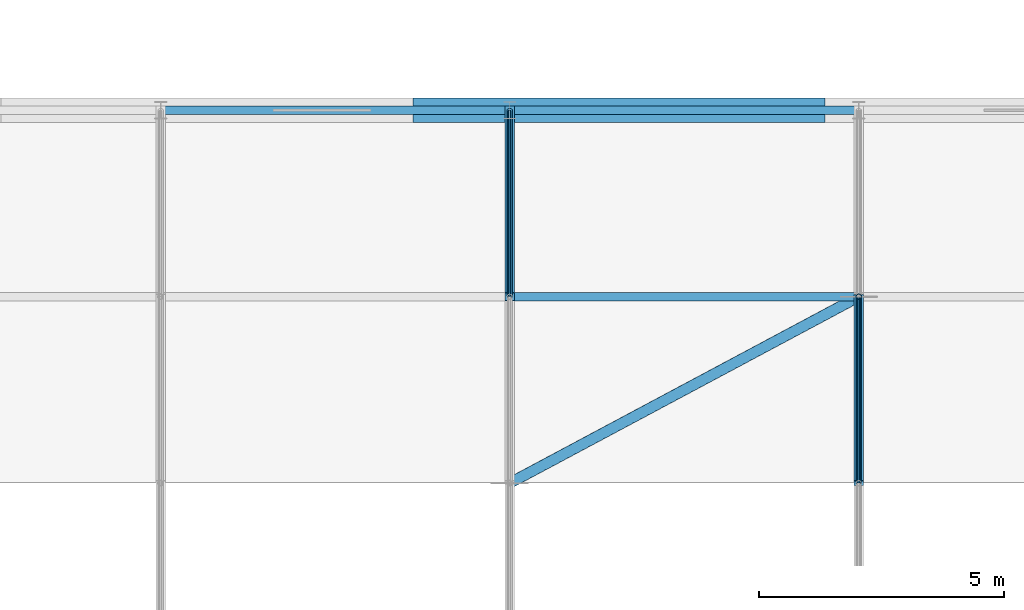
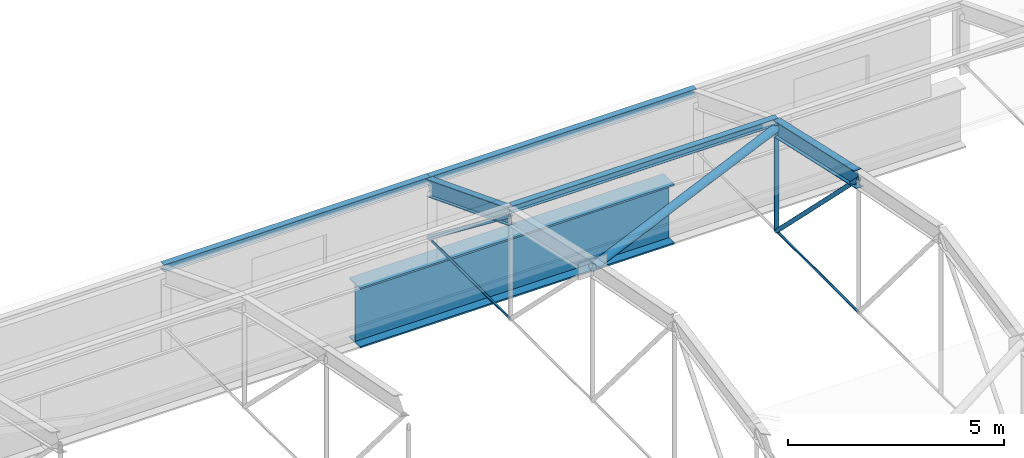
# One storey, part 19 of 53: 9 members, 3 beams.
"""IFC4 building model written with IfcOpenShell, lengths in metres."""

from ifc_helpers import new_model, si_unit, direction, frame, origin_with_axes, origin_2d_with_axis, place, context, subcontext, project, spatial, circle, hollow_circle, i_section, extrude, material, material_profile, profile_set, type_object, element, save


model = new_model("IFC4")

# Units and contexts
model_context = context("Model", 3, precision=1e-05, world=origin_with_axes(), true_north=direction((0.0, 1.0)))
body_context = subcontext(model_context, "Body", "Model", "MODEL_VIEW")
ifc_project = project(units=[si_unit("LENGTHUNIT", "METRE"), si_unit("AREAUNIT", "SQUARE_METRE"), si_unit("VOLUMEUNIT", "CUBIC_METRE"), si_unit("PLANEANGLEUNIT", "RADIAN"), si_unit("MASSUNIT", "GRAM", prefix="KILO"), si_unit("THERMODYNAMICTEMPERATUREUNIT", "KELVIN")], contexts=[model_context])

# Site, building, storey
site_placement = place(None, origin_with_axes())
site = spatial("IfcSite", under=ifc_project, at=site_placement, CompositionType="ELEMENT")
building_placement = place(site_placement, origin_with_axes())
building = spatial("IfcBuilding", under=site, at=building_placement, Name="Montbau Bow Law Courts", CompositionType="ELEMENT")
storey_placement = place(building_placement, frame((0.0, 0.0, 39.0), z_axis=(0.0, 0.0, 1.0), x_axis=(1.0, 0.0, 0.0)))
storey = spatial("IfcBuildingStorey", under=building, at=storey_placement, Name="L08", CompositionType="ELEMENT", Elevation=39.0)

# Beams
ifc_material = material(Name="Steel CSA G40.21 Grade 350WT (350 MPa)", Category="steel")
ifc_material_profile_1 = material_profile(ifc_material, i_section(OverallWidth=0.191, OverallDepth=0.46, WebThickness=0.0099, FlangeThickness=0.016, at=origin_2d_with_axis()), Name="W460X82", Category="Main", Priority=0)
ifc_profile_set_1 = profile_set([ifc_material_profile_1], Name="Steel CSA G40.21 Grade 350WT (350 MPa)")
beam_type_1 = type_object("IfcBeamType", Name="B-ARC-02", PredefinedType="USERDEFINED", material=ifc_profile_set_1)
beam_1_placement = place(None, frame((90.771, 58.0, 42.178), z_axis=(0.0, 0.931986259, -0.362493603), x_axis=(-1.0, 0.0, 0.0)))
element("IfcBeam", 1, at=beam_1_placement, inside=storey, type_object=beam_type_1, Name="Barrel vault roof truss arch rib V3-132", ObjectType="ARCH_RIB", PredefinedType="USERDEFINED", context=body_context, shape_type="SweptSolid", body=[
    extrude(i_section(OverallWidth=0.191, OverallDepth=0.46, WebThickness=0.0099, FlangeThickness=0.016, at=origin_2d_with_axis()), origin_with_axes(), (0.0, 0.0, 1.0), 4.077313),
])
beam_2_placement = place(None, frame((97.886, 54.2, 43.024), z_axis=(0.0, 0.97610237, -0.217311212), x_axis=(-1.0, 0.0, 0.0)))
element("IfcBeam", 2, at=beam_2_placement, inside=storey, type_object=beam_type_1, Name="Barrel vault roof truss arch rib V3-137", ObjectType="ARCH_RIB", PredefinedType="USERDEFINED", context=body_context, shape_type="SweptSolid", body=[
    extrude(i_section(OverallWidth=0.191, OverallDepth=0.46, WebThickness=0.0099, FlangeThickness=0.016, at=origin_2d_with_axis()), origin_with_axes(), (0.0, 0.0, 1.0), 3.893034),
])
ifc_material_profile_2 = material_profile(ifc_material, i_section(OverallWidth=0.5, OverallDepth=1.7, WebThickness=0.02, FlangeThickness=0.045, at=origin_2d_with_axis()), Name="WWF1700X480", Category="Main", Priority=0)
ifc_profile_set_2 = profile_set([ifc_material_profile_2], Name="Steel CSA G40.21 Grade 350WT (350 MPa)")
beam_type_2 = type_object("IfcBeamType", Name="B-TRG-02", PredefinedType="USERDEFINED", material=ifc_profile_set_2)
beam_3_placement = place(None, frame((88.8, 61.8, 37.81), z_axis=(1.0, 0.0, 0.0), x_axis=(0.0, 1.0, 0.0)))
element("IfcBeam", 3, at=beam_3_placement, inside=storey, type_object=beam_type_2, Name="VRG-L08-S0029:bm2_0032", ObjectType="GIRDER", PredefinedType="USERDEFINED", context=body_context, shape_type="SweptSolid", body=[
    extrude(i_section(OverallWidth=0.5, OverallDepth=1.7, WebThickness=0.02, FlangeThickness=0.045, at=origin_2d_with_axis()), origin_with_axes(), (0.0, 0.0, 1.0), 8.4),
])

# Members
ifc_material_profile_3 = material_profile(ifc_material, hollow_circle(Radius=0.1095, WallThickness=0.0111, at=origin_2d_with_axis()), Name="HSS219X11", Category="Main", Priority=0)
ifc_profile_set_3 = profile_set([ifc_material_profile_3], Name="Steel CSA G40.21 Grade 350WT (350 MPa)")
member_type_1 = type_object("IfcMemberType", Name="M-BRC-04", PredefinedType="BRACE", material=ifc_profile_set_3)
member_1_placement = place(None, frame((90.771, 54.2, 43.024), z_axis=(0.877266339, 0.468532971, -0.104310235), x_axis=(-0.471102928, 0.882078246, 0.0)))
element("IfcMember", 4, at=member_1_placement, inside=storey, type_object=member_type_1, Name="Diagonal brace VBR-V3-092", PredefinedType="BRACE", context=body_context, shape_type="SweptSolid", body=[
    extrude(hollow_circle(Radius=0.1095, WallThickness=0.0111, at=origin_2d_with_axis()), origin_with_axes(), (0.0, 0.0, 1.0), 8.110422),
])
ifc_material_profile_4 = material_profile(ifc_material, i_section(OverallWidth=0.165, OverallDepth=0.201, WebThickness=0.0062, FlangeThickness=0.0102, at=origin_2d_with_axis()), Name="W200X36", Category="Main", Priority=0)
ifc_profile_set_4 = profile_set([ifc_material_profile_4], Name="Steel CSA G40.21 Grade 350WT (350 MPa)")
member_type_2 = type_object("IfcMemberType", Name="M-PUR-02", PredefinedType="PURLIN", material=ifc_profile_set_4)
member_2_placement = place(None, frame((83.657, 61.8, 40.91), z_axis=(1.0, 0.0, 0.0), x_axis=(0.0, 1.0, 0.0)))
element("IfcMember", 5, at=member_2_placement, inside=storey, type_object=member_type_2, Name="Barrel vault roof truss purlin V3-133", PredefinedType="PURLIN", context=body_context, shape_type="SweptSolid", body=[
    extrude(i_section(OverallWidth=0.165, OverallDepth=0.201, WebThickness=0.0062, FlangeThickness=0.0102, at=origin_2d_with_axis()), origin_with_axes(), (0.0, 0.0, 1.0), 7.114),
])
for number, where, z_axis, x_axis, name in (
    (6, (90.771, 58.0, 42.388), (1.0, 0.0, 0.0), (0.0, 1.0, 0.0), "Barrel vault roof truss purlin V3-139"),
    (7, (90.771, 61.8, 40.91), (1.0, 0.0, 0.0), (0.0, 1.0, 0.0), "Barrel vault roof truss purlin V3-140"),
):
    element("IfcMember", number, at=place(None, frame(where, z_axis=z_axis, x_axis=x_axis)), inside=storey, type_object=member_type_2, Name=name, PredefinedType="PURLIN", context=body_context, shape_type="SweptSolid", body=[
        extrude(i_section(OverallWidth=0.165, OverallDepth=0.201, WebThickness=0.0062, FlangeThickness=0.0102, at=origin_2d_with_axis()), origin_with_axes(), (0.0, 0.0, 1.0), 7.115),
    ])
ifc_material_profile_5 = material_profile(ifc_material, hollow_circle(Radius=0.057, WallThickness=0.008, at=origin_2d_with_axis()), Name="HSS114X8.0", Category="Main", Priority=0)
ifc_profile_set_5 = profile_set([ifc_material_profile_5], Name="Steel CSA G40.21 Grade 350WT (350 MPa)")
member_type_3 = type_object("IfcMemberType", Name="M-STR-03", PredefinedType="STRUT", material=ifc_profile_set_5)
member_3_placement = place(None, frame((90.771, 58.0, 42.178), z_axis=(0.0, 0.792127775, -0.610355296), x_axis=(-1.0, 0.0, 0.0)))
element("IfcMember", 8, at=member_3_placement, inside=storey, type_object=member_type_3, Name="Barrel vault roof truss web diagonal V3-06-6", PredefinedType="STRUT", context=body_context, shape_type="SweptSolid", body=[
    extrude(hollow_circle(Radius=0.057, WallThickness=0.008, at=origin_2d_with_axis()), origin_with_axes(), (0.0, 0.0, 1.0), 4.797206),
])
member_4_placement = place(None, frame((97.886, 54.2, 43.024), z_axis=(0.0, 0.709529954, -0.704675276), x_axis=(-1.0, 0.0, 0.0)))
element("IfcMember", 9, at=member_4_placement, inside=storey, type_object=member_type_3, Name="Barrel vault roof truss web diagonal V3-07-5", PredefinedType="STRUT", context=body_context, shape_type="SweptSolid", body=[
    extrude(hollow_circle(Radius=0.057, WallThickness=0.008, at=origin_2d_with_axis()), origin_with_axes(), (0.0, 0.0, 1.0), 5.355658),
])
member_5_placement = place(None, frame((97.886, 58.0, 39.25), z_axis=(0.0, 0.0, 1.0), x_axis=(1.0, 0.0, 0.0)))
element("IfcMember", 10, at=member_5_placement, inside=storey, type_object=member_type_3, Name="Barrel vault roof truss web post V3-07-5", PredefinedType="STRUT", context=body_context, shape_type="SweptSolid", body=[
    extrude(hollow_circle(Radius=0.057, WallThickness=0.008, at=origin_2d_with_axis()), origin_with_axes(), (0.0, 0.0, 1.0), 2.928),
])
ifc_material_profile_6 = material_profile(ifc_material, circle(Radius=0.032, at=origin_2d_with_axis()), Name="ROD64", Category="Main", Priority=0)
ifc_profile_set_6 = profile_set([ifc_material_profile_6], Name="Steel CSA G40.21 Grade 350WT (350 MPa)")
member_type_4 = type_object("IfcMemberType", Name="M-TIE-02", PredefinedType="USERDEFINED", material=ifc_profile_set_6)
for number, where, z_axis, x_axis, name in (
    (11, (90.771, 58.0, 39.25), (0.0, 1.0, 0.0), (-1.0, 0.0, 0.0), "Barrel vault roof truss tie V3-132"),
    (12, (97.886, 54.2, 39.25), (0.0, 1.0, 0.0), (-1.0, 0.0, 0.0), "Barrel vault roof truss tie V3-137"),
):
    element("IfcMember", number, at=place(None, frame(where, z_axis=z_axis, x_axis=x_axis)), inside=storey, type_object=member_type_4, Name=name, ObjectType="TIEBAR", PredefinedType="USERDEFINED", context=body_context, shape_type="SweptSolid", body=[
        extrude(circle(Radius=0.032, at=origin_2d_with_axis()), origin_with_axes(), (0.0, 0.0, 1.0), 3.8),
    ])

save(model, "model.ifc")
